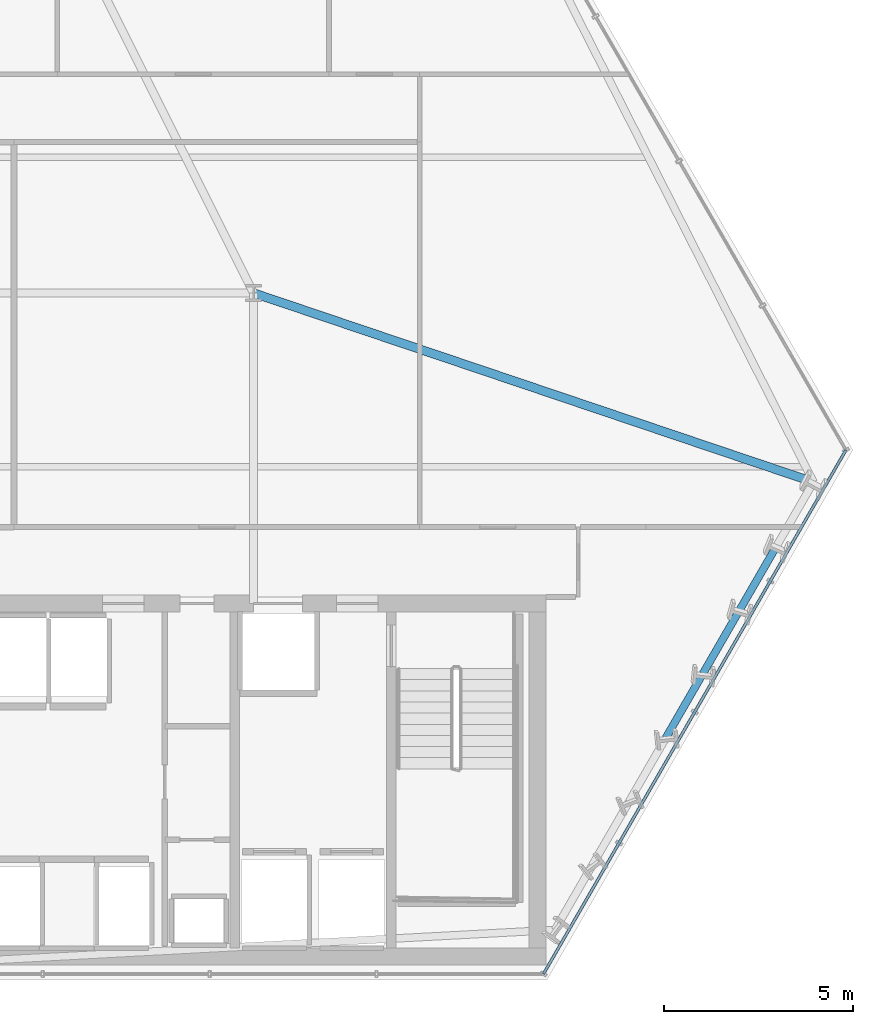
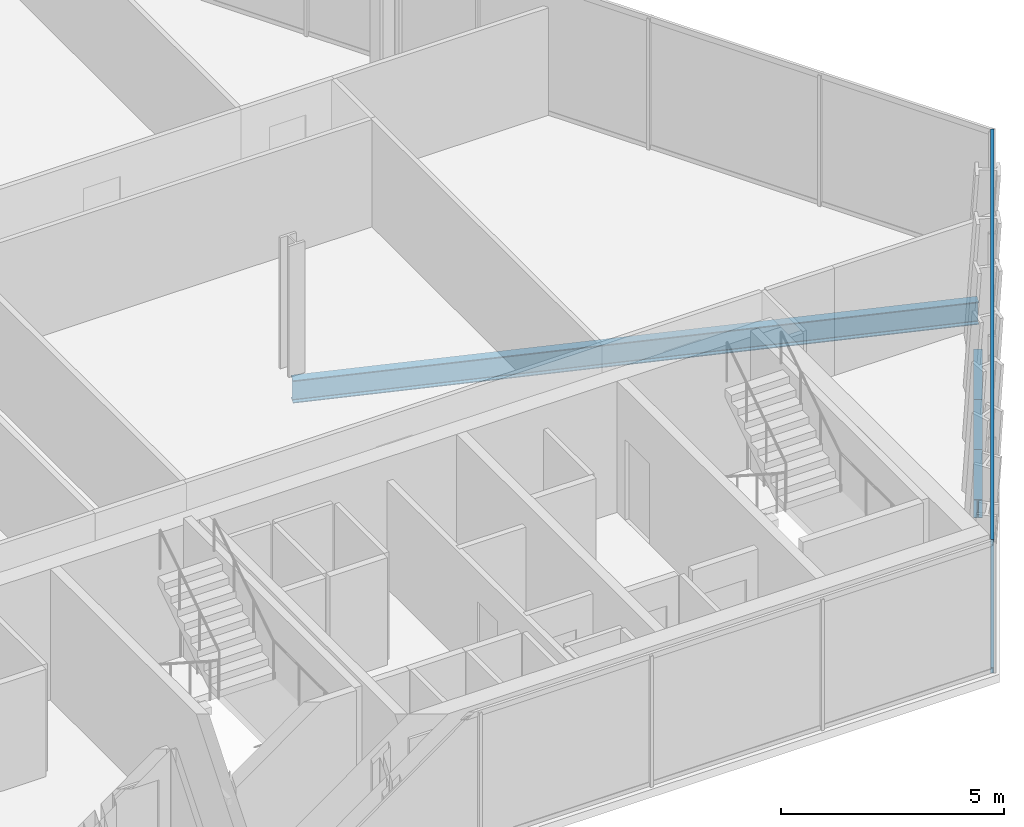
# One storey, part 15 of 32: 4 beams, 2 members, 1 element without a shape of its own.
"""IFC4 building model written with IfcOpenShell, lengths in metres."""

from ifc_helpers import new_model, si_unit, direction, frame, origin, origin_2d, place, context, subcontext, project, spatial, hollow_rectangle, i_section, extrude, material, layer, layer_set, material_profile, profile_set, type_object, element, aggregate, save


model = new_model("IFC4")

# Units and contexts
model_context = context("Model", 3, precision=1e-05, world=origin(), true_north=direction((0.0, 1.0)))
body_context = subcontext(model_context, "Body", "Model", "MODEL_VIEW")
ifc_project = project(units=[si_unit("LENGTHUNIT", "METRE"), si_unit("AREAUNIT", "SQUARE_METRE"), si_unit("VOLUMEUNIT", "CUBIC_METRE"), si_unit("PLANEANGLEUNIT", "RADIAN"), si_unit("MASSUNIT", "GRAM", prefix="KILO")], contexts=[model_context])

# Site, building, storey
site_placement = place(None, origin())
site = spatial("IfcSite", under=ifc_project, at=site_placement, CompositionType="ELEMENT")
building_placement = place(site_placement, origin())
building = spatial("IfcBuilding", under=site, at=building_placement, Name="Ndaravel Arena Tower", CompositionType="ELEMENT")
storey_placement = place(building_placement, frame((0.0, 0.0, 55.0)))
storey = spatial("IfcBuildingStorey", under=building, at=storey_placement, Name="L11", CompositionType="ELEMENT", Elevation=55.0)

# Beams
ifc_material_1 = material(Name="Steel S355", Category="steel")
ifc_material_profile_1 = material_profile(ifc_material_1, i_section(OverallWidth=0.230224609375, OverallDepth=0.6171875, WebThickness=0.01318359375, FlangeThickness=0.022216796875, FilletRadius=0.0126953125, at=origin_2d()), Name="UB 610x229x140")
ifc_profile_set_1 = profile_set([ifc_material_profile_1], Name="Steel S355")
beam_type_1 = type_object("IfcBeamType", Name="BM-GIRD-UB610B", PredefinedType="BEAM", material=ifc_profile_set_1)
beam_1_placement = place(storey_placement, frame((64.634521484375, 18.19189453125, -0.528564453125), z_axis=(-0.947464755248, 0.319860184398, 0.0), x_axis=(-0.319860184398, -0.947464755248, 0.0)))
element("IfcBeam", 1, at=beam_1_placement, inside=storey, type_object=beam_type_1, Name="L11 Radial Floor Girder FG-09", PredefinedType="BEAM", context=body_context, shape_type="SweptSolid", body=[
    extrude(i_section(OverallWidth=0.230224609375, OverallDepth=0.6171875, WebThickness=0.01318359375, FlangeThickness=0.022216796875, FilletRadius=0.0126953125, at=origin_2d()), origin(), (0.0, 0.0, 1.0), 15.656982421875),
])
ifc_material_2 = material(Name="Steel S355", Category="steel")
ifc_material_profile_2 = material_profile(ifc_material_2, i_section(OverallWidth=0.199951171875, OverallDepth=0.5, WebThickness=0.01025390625, FlangeThickness=0.01611328125, FilletRadius=0.02099609375, at=origin_2d()), Name="IPE 500")
ifc_profile_set_2 = profile_set([ifc_material_profile_2], Name="Steel S355")
beam_type_2 = type_object("IfcBeamType", Name="BM-SPAN-IPE500", PredefinedType="SPANDREL", material=ifc_profile_set_2)
beam_2_placement = place(storey_placement, frame((60.72021484375, 11.412353515625, -0.469970703125), z_axis=(0.500003221507, 0.866023543838, 0.0), x_axis=(-0.866023543838, 0.500003221507, 0.0)))
element("IfcBeam", 2, at=beam_2_placement, inside=storey, type_object=beam_type_2, Name="L11 Perimeter Spandrel Beam SP-05", PredefinedType="SPANDREL", context=body_context, shape_type="SweptSolid", body=[
    extrude(i_section(OverallWidth=0.199951171875, OverallDepth=0.5, WebThickness=0.01025390625, FlangeThickness=0.01611328125, FilletRadius=0.02099609375, at=origin_2d()), origin(), (0.0, 0.0, 1.0), 1.95703125),
])
beam_3_placement = place(storey_placement, frame((61.69873046875, 13.107177734375, -0.469970703125), z_axis=(0.49994920724, 0.866054727012, 0.0), x_axis=(-0.866054727012, 0.49994920724, 0.0)))
element("IfcBeam", 3, at=beam_3_placement, inside=storey, type_object=beam_type_2, Name="L11 Perimeter Spandrel Beam SP-06", PredefinedType="SPANDREL", context=body_context, shape_type="SweptSolid", body=[
    extrude(i_section(OverallWidth=0.199951171875, OverallDepth=0.5, WebThickness=0.01025390625, FlangeThickness=0.01611328125, FilletRadius=0.02099609375, at=origin_2d()), origin(), (0.0, 0.0, 1.0), 1.957275390625),
])
beam_4_placement = place(storey_placement, frame((62.67724609375, 14.80224609375, -0.469970703125), z_axis=(0.500096775829, 0.865969523024, 0.0), x_axis=(-0.865969523024, 0.500096775829, 0.0)))
element("IfcBeam", 4, at=beam_4_placement, inside=storey, type_object=beam_type_2, Name="L11 Perimeter Spandrel Beam SP-07", PredefinedType="SPANDREL", context=body_context, shape_type="SweptSolid", body=[
    extrude(i_section(OverallWidth=0.199951171875, OverallDepth=0.5, WebThickness=0.01025390625, FlangeThickness=0.01611328125, FilletRadius=0.02099609375, at=origin_2d()), origin(), (0.0, 0.0, 1.0), 1.95703125),
])

# Curtain wall, members
ifc_material_3 = material(Name="Aluminium", Category="aluminium")
ifc_layer = layer(ifc_material_3, 0.179931640625)
ifc_layer_set = layer_set([ifc_layer], Name="Aluminium")
curtain_wall_type = type_object("IfcCurtainWallType", Name="CW-SYS-01", PredefinedType="NOTDEFINED", material=ifc_layer_set)
curtain_wall_placement = place(storey_placement, origin())
curtain_wall = element("IfcCurtainWall", 5, at=curtain_wall_placement, inside=storey, type_object=curtain_wall_type, Name="L11 Faceted Crystal Curtain Wall CW-L11-E02", PredefinedType="NOTDEFINED")
ifc_material_4 = material(Name="Aluminium", Category="aluminium")
ifc_material_profile_3 = material_profile(ifc_material_4, hollow_rectangle(XDim=0.074951171875, YDim=0.14990234375, WallThickness=0.00390625, at=origin_2d()), Name="CW TRANSOM 75x150x4")
ifc_profile_set_3 = profile_set([ifc_material_profile_3], Name="Aluminium")
member_type = type_object("IfcMemberType", Name="MEM-CW-TRN150", PredefinedType="USERDEFINED", material=ifc_profile_set_3)
member_1_placement = place(storey_placement, frame((57.47998046875, 5.159912109375, 0.0400390625), z_axis=(0.499989258689, 0.866031605195, 0.0), x_axis=(-0.866031605195, 0.499989258689, 0.0)))
member_1 = element("IfcMember", 6, at=member_1_placement, type_object=member_type, Name="CW-L11-E02 Transom 01", ObjectType="TRANSOM", PredefinedType="USERDEFINED", context=body_context, shape_type="SweptSolid", body=[
    extrude(hollow_rectangle(XDim=0.074951171875, YDim=0.14990234375, WallThickness=0.00390625, at=origin_2d()), origin(), (0.0, 0.0, 1.0), 16.026611328125),
])
member_2_placement = place(storey_placement, frame((57.47998046875, 5.159912109375, 3.5400390625), z_axis=(0.499989258689, 0.866031605195, 0.0), x_axis=(-0.866031605195, 0.499989258689, 0.0)))
member_2 = element("IfcMember", 7, at=member_2_placement, type_object=member_type, Name="CW-L11-E02 Transom 02", ObjectType="TRANSOM", PredefinedType="USERDEFINED", context=body_context, shape_type="SweptSolid", body=[
    extrude(hollow_rectangle(XDim=0.074951171875, YDim=0.14990234375, WallThickness=0.00390625, at=origin_2d()), origin(), (0.0, 0.0, 1.0), 16.026611328125),
])
aggregate(curtain_wall, [member_1, member_2])

save(model, "model.ifc")
